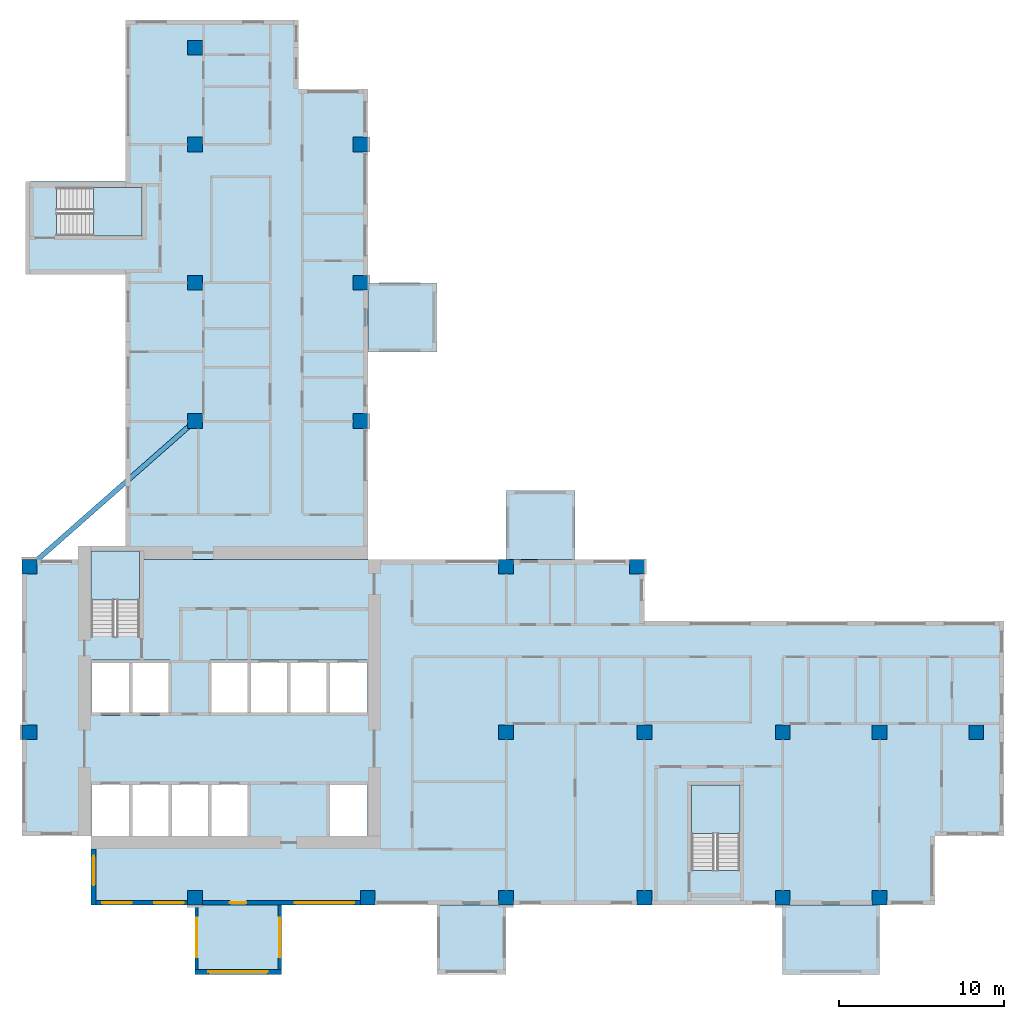
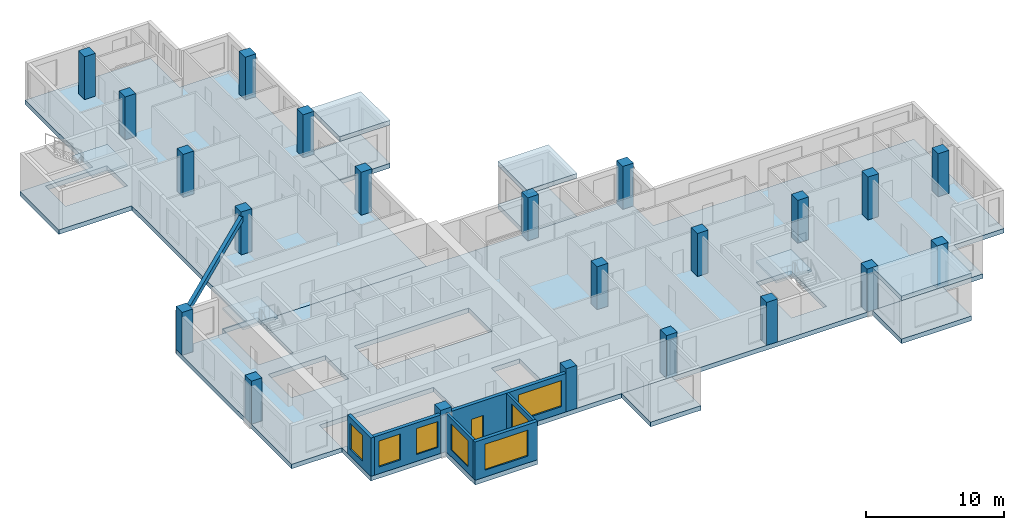
# One storey, part 1 of 12: 22 columns, 13 slabs, 7 windows, 6 walls, 1 door, 1 member, 8 openings, 3 elements without a shape of their own.
"""IFC4 building model written with IfcOpenShell, lengths in metres."""

from ifc_helpers import new_model, si_unit, direction, frame, frame_2d, origin, origin_2d, place, context, subcontext, project, spatial, polyline, rectangle, outline, extrude, source, transform, mapped, material, layer, layer_set, material_profile, profile_set, type_object, element, fill, aggregate, save


model = new_model("IFC4")

# Units and contexts
model_context = context("Model", 3, precision=1e-05, world=origin(), true_north=direction((0.0, 1.0)))
body_context = subcontext(model_context, "Body", "Model", "MODEL_VIEW")
ifc_project = project(units=[si_unit("LENGTHUNIT", "METRE"), si_unit("AREAUNIT", "SQUARE_METRE"), si_unit("VOLUMEUNIT", "CUBIC_METRE"), si_unit("PLANEANGLEUNIT", "RADIAN"), si_unit("MASSUNIT", "GRAM", prefix="KILO")], contexts=[model_context])

# Site, building, storey
site_placement = place(None, origin())
site = spatial("IfcSite", under=ifc_project, at=site_placement, CompositionType="ELEMENT")
building_placement = place(site_placement, origin())
building = spatial("IfcBuilding", under=site, at=building_placement, Name="Aurelian Terraces", CompositionType="ELEMENT")
storey_placement = place(building_placement, frame((0.0, 0.0, 181.6)))
storey = spatial("IfcBuildingStorey", under=building, at=storey_placement, Name="L39", CompositionType="ELEMENT", Elevation=181.6)

# Columns
ifc_material_1 = material(Name="Concrete fc' 70 MPa", Category="concrete")
ifc_material_profile_1 = material_profile(ifc_material_1, rectangle(XDim=0.9, YDim=0.9, at=origin_2d()))
ifc_profile_set_1 = profile_set([ifc_material_profile_1], Name="Concrete fc' 70 MPa")
column_type = type_object("IfcColumnType", Name="RC COLUMN 900X900 FC70", PredefinedType="COLUMN", material=ifc_profile_set_1)
shared_shape_1 = source(origin(), body_context, "Body", "SweptSolid", [
    extrude(rectangle(XDim=0.9, YDim=0.9, at=origin_2d()), origin(), (0.0, 0.0, 1.0), 3.8),
])
for number, where, z_axis, x_axis, name in (
    (1, (10.5, 0.45, 0.0), (0.0, 0.0, 1.0), (1.0, 0.0, 0.0), "Column 2/A L39"),
    (2, (21.0, 0.45, 0.0), (0.0, 0.0, 1.0), (1.0, 0.0, 0.0), "Column 3/A L39"),
    (3, (29.4, 0.45, 0.0), (0.0, 0.0, 1.0), (1.0, 0.0, 0.0), "Column 4/A L39"),
    (4, (37.8, 0.45, 0.0), (0.0, 0.0, 1.0), (1.0, 0.0, 0.0), "Column 5/A L39"),
    (5, (46.2, 0.45, 0.0), (0.0, 0.0, 1.0), (1.0, 0.0, 0.0), "Column 6/A L39"),
    (6, (52.08, 0.45, 0.0), (0.0, 0.0, 1.0), (1.0, 0.0, 0.0), "Column 7/A L39"),
    (7, (0.45, 10.5, 0.0), (0.0, 0.0, 1.0), (1.0, 0.0, 0.0), "Column 1/B L39"),
    (8, (29.4, 10.5, 0.0), (0.0, 0.0, 1.0), (1.0, 0.0, 0.0), "Column 4/B L39"),
    (9, (37.8, 10.5, 0.0), (0.0, 0.0, 1.0), (1.0, 0.0, 0.0), "Column 5/B L39"),
    (10, (46.2, 10.5, 0.0), (0.0, 0.0, 1.0), (1.0, 0.0, 0.0), "Column 6/B L39"),
    (11, (52.08, 10.5, 0.0), (0.0, 0.0, 1.0), (1.0, 0.0, 0.0), "Column 7/B L39"),
    (12, (57.96, 10.5, 0.0), (0.0, 0.0, 1.0), (1.0, 0.0, 0.0), "Column 8/B L39"),
    (13, (0.45, 20.55, 0.0), (0.0, 0.0, 1.0), (1.0, 0.0, 0.0), "Column 1/C L39"),
    (14, (29.4, 20.55, 0.0), (0.0, 0.0, 1.0), (1.0, 0.0, 0.0), "Column 4/C L39"),
    (15, (37.35, 20.55, 0.0), (0.0, 0.0, 1.0), (1.0, 0.0, 0.0), "Column 5/C L39"),
    (16, (10.5, 29.4, 0.0), (0.0, 0.0, 1.0), (1.0, 0.0, 0.0), "Column 2/D L39"),
    (17, (20.55, 29.4, 0.0), (0.0, 0.0, 1.0), (1.0, 0.0, 0.0), "Column 3/D L39"),
    (18, (10.5, 37.8, 0.0), (0.0, 0.0, 1.0), (1.0, 0.0, 0.0), "Column 2/E L39"),
    (19, (20.55, 37.8, 0.0), (0.0, 0.0, 1.0), (1.0, 0.0, 0.0), "Column 3/E L39"),
    (20, (10.5, 46.2, 0.0), (0.0, 0.0, 1.0), (1.0, 0.0, 0.0), "Column 2/F L39"),
    (21, (20.55, 46.2, 0.0), (0.0, 0.0, 1.0), (1.0, 0.0, 0.0), "Column 3/F L39"),
    (22, (10.5, 52.08, 0.0), (0.0, 0.0, 1.0), (1.0, 0.0, 0.0), "Column 2/G L39"),
):
    element("IfcColumn", number, at=place(storey_placement, frame(where, z_axis=z_axis, x_axis=x_axis)), inside=storey, type_object=column_type, Name=name, PredefinedType="COLUMN", context=body_context, shape_type="MappedRepresentation", body=[
        mapped(shared_shape_1, transform((0.0, 0.0, 0.0), scale=1.0)),
    ])

# Member
ifc_material_2 = material(Name="Concrete fc' 40 MPa", Category="concrete")
ifc_material_profile_2 = material_profile(ifc_material_2, rectangle(XDim=0.3, YDim=0.5, at=origin_2d()))
ifc_profile_set_2 = profile_set([ifc_material_profile_2], Name="Concrete fc' 40 MPa")
member_type = type_object("IfcMemberType", Name="CONCRETE EDGE BEAM 300X500", PredefinedType="MEMBER", material=ifc_profile_set_2)
member_placement = place(storey_placement, frame((10.1623, 29.1026, 3.15), z_axis=(-0.750493043191, -0.660878348959, 0.0), x_axis=(0.660878348959, -0.750493043191, 0.0)))
element("IfcMember", 23, at=member_placement, inside=storey, type_object=member_type, Name="Terrace edge member SKY-06-T1", PredefinedType="MEMBER", context=body_context, shape_type="SweptSolid", body=[
    extrude(rectangle(XDim=0.3, YDim=0.5, at=origin_2d()), origin(), (0.0, 0.0, 1.0), 12.4913),
])

# Slabs
ifc_layer_1 = layer(ifc_material_2, 0.41)
ifc_layer_set_1 = layer_set([ifc_layer_1], Name="Box floor 410")
slab_type_1 = type_object("IfcSlabType", Name="Box floor 410", PredefinedType="NOTDEFINED", material=ifc_layer_set_1)
slab_1_placement = place(storey_placement, frame((0.0, 0.0, -0.41)))
element("IfcSlab", 24, at=slab_1_placement, inside=storey, type_object=slab_type_1, Name="Box floor L39 J54", PredefinedType="NOTDEFINED", context=body_context, shape_type="SweptSolid", body=[
    extrude(outline(polyline([(10.5, -4.2), (15.75, -4.2), (15.75, 0.0), (10.5, 0.0), (10.5, -4.2)])), origin(), (0.0, 0.0, 1.0), 0.41),
])
ifc_layer_2 = layer(ifc_material_2, 0.4)
ifc_layer_set_2 = layer_set([ifc_layer_2], Name="Box roof 400")
slab_type_2 = type_object("IfcSlabType", Name="Box roof 400", PredefinedType="ROOF", material=ifc_layer_set_2)
slab_2_placement = place(storey_placement, frame((0.0, 0.0, 3.4)))
element("IfcSlab", 25, at=slab_2_placement, inside=storey, type_object=slab_type_2, Name="Box roof J52", PredefinedType="ROOF", context=body_context, shape_type="SweptSolid", body=[
    extrude(outline(polyline([(33.6, 25.2), (29.4, 25.2), (29.4, 21.0), (33.6, 21.0), (33.6, 25.2)])), origin(), (0.0, 0.0, 1.0), 0.4),
])
ifc_layer_3 = layer(ifc_material_2, 0.4)
ifc_layer_set_3 = layer_set([ifc_layer_3], Name="PT FLAT PLATE 400")
slab_type_3 = type_object("IfcSlabType", Name="PT FLAT PLATE 400", PredefinedType="FLOOR", material=ifc_layer_set_3)
slab_3_placement = place(storey_placement, frame((0.0, 0.0, -0.4)))
element("IfcSlab", 26, at=slab_3_placement, inside=storey, type_object=slab_type_3, Name="Floor slab S L39", PredefinedType="FLOOR", context=body_context, shape_type="SweptSolid", body=[
    extrude(outline(polyline([(59.64, 4.2), (55.44, 4.2), (55.44, 0.0), (21.0, 0.0), (4.2, 0.0), (4.2, 4.2), (0.0, 4.2), (0.0, 21.0), (4.21, 21.0), (4.21, 16.31), (7.14, 16.31), (7.14, 21.0), (21.0, 21.0), (37.8, 21.0), (37.8, 17.25), (55.44, 17.25), (59.64, 17.25), (59.64, 16.8), (59.64, 16.65), (59.64, 4.2)]), holes=[polyline([(40.66, 2.11), (43.59, 2.11), (43.59, 7.29), (40.66, 7.29), (40.66, 2.11)]), polyline([(18.61, 7.49), (18.61, 4.21), (20.99, 4.21), (20.99, 7.49), (18.61, 7.49)]), polyline([(20.99, 14.89), (11.41, 14.89), (11.41, 11.51), (20.99, 11.51), (20.99, 14.89)]), polyline([(4.21, 7.49), (4.21, 4.21), (13.79, 4.21), (13.79, 7.49), (4.21, 7.49)]), polyline([(4.21, 14.89), (4.21, 11.51), (8.99, 11.51), (8.99, 14.89), (4.21, 14.89)])]), origin(), (0.0, 0.0, 1.0), 0.4),
])
shared_shape_2 = source(origin(), body_context, "Body", "SweptSolid", [
    extrude(outline(polyline([(0.2, 43.95), (6.3, 43.95), (6.3, 49.56), (6.3, 53.76), (10.5, 53.76), (16.8, 53.76), (16.8, 49.56), (21.0, 49.56), (21.0, 21.0), (7.14, 21.0), (7.14, 21.49), (4.21, 21.49), (4.21, 21.0), (4.2, 21.0), (4.2, 21.6), (6.3, 21.6), (6.3, 38.3), (0.2, 38.3), (0.2, 43.95)]), holes=[polyline([(7.29, 43.59), (2.11, 43.59), (2.11, 40.66), (7.29, 40.66), (7.29, 43.59)])]), origin(), (0.0, 0.0, 1.0), 0.4),
])
slab_4_placement = place(storey_placement, frame((0.0, 0.0, -0.4)))
element("IfcSlab", 27, at=slab_4_placement, inside=storey, type_object=slab_type_3, Name="Floor slab W L39", PredefinedType="FLOOR", context=body_context, shape_type="MappedRepresentation", body=[
    mapped(shared_shape_2, transform((0.0, 0.0, 0.0), scale=1.0)),
])
shared_shape_3 = source(origin(), body_context, "Body", "SweptSolid", [
    extrude(outline(polyline([(46.2, -4.2), (52.08, -4.2), (52.08, 0.0), (46.2, 0.0), (46.2, -4.2)])), origin(), (0.0, 0.0, 1.0), 0.41),
])
slab_5_placement = place(storey_placement, frame((0.0, 0.0, -0.41)))
element("IfcSlab", 28, at=slab_5_placement, inside=storey, type_object=slab_type_1, Name="Box floor L39 J51", PredefinedType="NOTDEFINED", context=body_context, shape_type="MappedRepresentation", body=[
    mapped(shared_shape_3, transform((0.0, 0.0, 0.0), scale=1.0)),
])
shared_shape_4 = source(origin(), body_context, "Body", "SweptSolid", [
    extrude(outline(polyline([(46.2, -4.2), (52.08, -4.2), (52.08, 0.0), (46.2, 0.0), (46.2, -4.2)])), origin(), (0.0, 0.0, 1.0), 0.4),
])
slab_6_placement = place(storey_placement, frame((0.0, 0.0, 3.4)))
element("IfcSlab", 29, at=slab_6_placement, inside=storey, type_object=slab_type_2, Name="Box roof J51", PredefinedType="ROOF", context=body_context, shape_type="MappedRepresentation", body=[
    mapped(shared_shape_4, transform((0.0, 0.0, 0.0), scale=1.0)),
])
shared_shape_5 = source(origin(), body_context, "Body", "SweptSolid", [
    extrude(outline(polyline([(25.2, -4.2), (29.4, -4.2), (29.4, 0.0), (25.2, 0.0), (25.2, -4.2)])), origin(), (0.0, 0.0, 1.0), 0.41),
])
slab_7_placement = place(storey_placement, frame((0.0, 0.0, -0.41)))
element("IfcSlab", 30, at=slab_7_placement, inside=storey, type_object=slab_type_1, Name="Box floor L39 J55", PredefinedType="NOTDEFINED", context=body_context, shape_type="MappedRepresentation", body=[
    mapped(shared_shape_5, transform((0.0, 0.0, 0.0), scale=1.0)),
])
shared_shape_6 = source(origin(), body_context, "Body", "SweptSolid", [
    extrude(outline(polyline([(25.2, 33.6), (25.2, 37.8), (21.0, 37.8), (21.0, 33.6), (25.2, 33.6)])), origin(), (0.0, 0.0, 1.0), 0.41),
])
slab_8_placement = place(storey_placement, frame((0.0, 0.0, -0.41)))
element("IfcSlab", 31, at=slab_8_placement, inside=storey, type_object=slab_type_1, Name="Box floor L39 J53", PredefinedType="NOTDEFINED", context=body_context, shape_type="MappedRepresentation", body=[
    mapped(shared_shape_6, transform((0.0, 0.0, 0.0), scale=1.0)),
])
shared_shape_7 = source(origin(), body_context, "Body", "SweptSolid", [
    extrude(outline(polyline([(25.2, 33.6), (25.2, 37.8), (21.0, 37.8), (21.0, 33.6), (25.2, 33.6)])), origin(), (0.0, 0.0, 1.0), 0.4),
])
slab_9_placement = place(storey_placement, frame((0.0, 0.0, 3.4)))
element("IfcSlab", 32, at=slab_9_placement, inside=storey, type_object=slab_type_2, Name="Box roof J53", PredefinedType="ROOF", context=body_context, shape_type="MappedRepresentation", body=[
    mapped(shared_shape_7, transform((0.0, 0.0, 0.0), scale=1.0)),
])
shared_shape_8 = source(origin(), body_context, "Body", "SweptSolid", [
    extrude(outline(polyline([(33.6, 25.2), (29.4, 25.2), (29.4, 21.0), (33.6, 21.0), (33.6, 25.2)])), origin(), (0.0, 0.0, 1.0), 0.41),
])
slab_10_placement = place(storey_placement, frame((0.0, 0.0, -0.41)))
element("IfcSlab", 33, at=slab_10_placement, inside=storey, type_object=slab_type_1, Name="Box floor L39 J52", PredefinedType="NOTDEFINED", context=body_context, shape_type="MappedRepresentation", body=[
    mapped(shared_shape_8, transform((0.0, 0.0, 0.0), scale=1.0)),
])

# Stair, slab
stair_type = type_object("IfcStairType", Name="Stair 1400", PredefinedType="HALF_TURN_STAIR", material=ifc_material_2)
stair_1_placement = place(storey_placement, origin())
stair_1 = element("IfcStair", 34, at=stair_1_placement, inside=storey, type_object=stair_type, Name="L39 S1", PredefinedType="HALF_TURN_STAIR")
ifc_layer_4 = layer(ifc_material_2, 0.2)
ifc_layer_set_4 = layer_set([ifc_layer_4], Name="Stair landing 200")
slab_type_4 = type_object("IfcSlabType", Name="Stair landing 200", PredefinedType="LANDING", material=ifc_layer_set_4)
shared_shape_9 = source(origin(), body_context, "Body", "SweptSolid", [
    extrude(outline(polyline([(7.15, 18.55), (7.15, 21.5), (4.2, 21.5), (4.2, 18.55), (7.15, 18.55)])), origin(), (0.0, 0.0, 1.0), 0.2),
])
slab_11_placement = place(storey_placement, frame((0.0, 0.0, 1.7)))
slab_11 = element("IfcSlab", 35, at=slab_11_placement, type_object=slab_type_4, Name="S1 landing 1", PredefinedType="LANDING", context=body_context, shape_type="MappedRepresentation", body=[
    mapped(shared_shape_9, transform((0.0, 0.0, 0.0), scale=1.0)),
])
aggregate(stair_1, [slab_11])

stair_2_placement = place(storey_placement, origin())
stair_2 = element("IfcStair", 36, at=stair_2_placement, inside=storey, type_object=stair_type, Name="L39 S2", PredefinedType="HALF_TURN_STAIR")
shared_shape_10 = source(origin(), body_context, "Body", "SweptSolid", [
    extrude(outline(polyline([(43.6, 4.35), (43.6, 7.3), (40.65, 7.3), (40.65, 4.35), (43.6, 4.35)])), origin(), (0.0, 0.0, 1.0), 0.2),
])
slab_12_placement = place(storey_placement, frame((0.0, 0.0, 1.7)))
slab_12 = element("IfcSlab", 37, at=slab_12_placement, type_object=slab_type_4, Name="S2 landing 1", PredefinedType="LANDING", context=body_context, shape_type="MappedRepresentation", body=[
    mapped(shared_shape_10, transform((0.0, 0.0, 0.0), scale=1.0)),
])
aggregate(stair_2, [slab_12])

stair_3_placement = place(storey_placement, origin())
stair_3 = element("IfcStair", 38, at=stair_3_placement, inside=storey, type_object=stair_type, Name="L39 S3", PredefinedType="HALF_TURN_STAIR")
shared_shape_11 = source(origin(), body_context, "Body", "SweptSolid", [
    extrude(outline(polyline([(4.35, 40.65), (7.3, 40.65), (7.3, 43.6), (4.35, 43.6), (4.35, 40.65)])), origin(), (0.0, 0.0, 1.0), 0.2),
])
slab_13_placement = place(storey_placement, frame((0.0, 0.0, 1.7)))
slab_13 = element("IfcSlab", 39, at=slab_13_placement, type_object=slab_type_4, Name="S3 landing 1", PredefinedType="LANDING", context=body_context, shape_type="MappedRepresentation", body=[
    mapped(shared_shape_11, transform((0.0, 0.0, 0.0), scale=1.0)),
])
aggregate(stair_3, [slab_13])

# Wall, opening, window
ifc_layer_5 = layer(ifc_material_2, 0.3)
ifc_layer_set_5 = layer_set([ifc_layer_5], Name="BOX BEARING WALL 300")
wall_type_1 = type_object("IfcWallType", Name="BOX BEARING WALL 300", PredefinedType="SOLIDWALL", material=ifc_layer_set_5)
wall_1_placement = place(storey_placement, frame((10.5, -4.05, 0.0), z_axis=(0.0, 0.0, 1.0), x_axis=(1.0, 0.0, 0.0)))
wall_1 = element("IfcWall", 40, at=wall_1_placement, inside=storey, type_object=wall_type_1, Name="Box wall L39 J54", PredefinedType="SOLIDWALL", context=body_context, shape_type="SweptSolid", body=[
    extrude(rectangle(XDim=5.25, YDim=0.3, at=frame_2d((2.625, 0.0))), origin(), (0.0, 0.0, 1.0), 3.39),
])
shared_shape_12 = source(origin(), body_context, "Body", "SweptSolid", [
    extrude(rectangle(XDim=3.6, YDim=2.3, at=frame_2d((1.8, 1.15))), frame((0.0, 0.16, 0.0), z_axis=(0.0, -1.0, 0.0), x_axis=(1.0, 0.0, 0.0)), (0.0, 0.0, 1.0), 0.32),
])
opening_1_placement = place(wall_1_placement, frame((0.825, 0.0, 0.6)))
opening_1 = element("IfcOpeningElement", 41, at=opening_1_placement, cuts=wall_1, Name="Opening W3623", PredefinedType="OPENING", context=body_context, shape_type="MappedRepresentation", body=[
    mapped(shared_shape_12, transform((0.0, 0.0, 0.0), scale=1.0)),
])
ifc_material_3 = material(Name="Clear glazing", Category="glass")
window_type_1 = type_object("IfcWindowType", Name="W-3600x2300", PartitioningType="SINGLE_PANEL", PredefinedType="WINDOW", material=ifc_material_3)
shared_shape_13 = source(origin(), body_context, "Body", "SweptSolid", [
    extrude(rectangle(XDim=3.6, YDim=2.3, at=frame_2d((1.8, 1.15))), frame((0.0, 0.03, 0.0), z_axis=(0.0, -1.0, 0.0), x_axis=(1.0, 0.0, 0.0)), (0.0, 0.0, 1.0), 0.06),
])
window_1_placement = place(opening_1_placement, origin())
window_1 = element("IfcWindow", 42, at=window_1_placement, inside=storey, type_object=window_type_1, Name="Window L39 J54-F1", OverallHeight=2.3, OverallWidth=3.6, PartitioningType="SINGLE_PANEL", PredefinedType="WINDOW", context=body_context, shape_type="MappedRepresentation", body=[
    mapped(shared_shape_13, transform((0.0, 0.0, 0.0), scale=1.0)),
])
fill(opening_1, window_1)

# Wall, openings, windows
ifc_material_4 = material(Name="Terracotta rainscreen cladding", Category="masonry")
ifc_layer_6 = layer(ifc_material_4, 0.3)
ifc_layer_set_6 = layer_set([ifc_layer_6], Name="EW-300")
wall_type_2 = type_object("IfcWallType", Name="EW-300", PredefinedType="STANDARD", material=ifc_layer_set_6)
wall_2_placement = place(storey_placement, frame((4.2, 0.15, 0.0), z_axis=(0.0, 0.0, 1.0), x_axis=(1.0, 0.0, 0.0)))
wall_2 = element("IfcWall", 43, at=wall_2_placement, inside=storey, type_object=wall_type_2, Name="External wall L39 F01.1", PredefinedType="STANDARD", context=body_context, shape_type="SweptSolid", body=[
    extrude(rectangle(XDim=5.85, YDim=0.3, at=frame_2d((2.925, 0.0))), origin(), (0.0, 0.0, 1.0), 3.4),
])
shared_shape_14 = source(origin(), body_context, "Body", "SweptSolid", [
    extrude(rectangle(XDim=1.8, YDim=2.3, at=frame_2d((0.9, 1.15))), frame((0.0, 0.16, 0.0), z_axis=(0.0, -1.0, 0.0), x_axis=(1.0, 0.0, 0.0)), (0.0, 0.0, 1.0), 0.32),
])
opening_2_placement = place(wall_2_placement, frame((0.675, 0.0, 0.6)))
opening_2 = element("IfcOpeningElement", 44, at=opening_2_placement, cuts=wall_2, Name="Opening W1823", PredefinedType="OPENING", context=body_context, shape_type="MappedRepresentation", body=[
    mapped(shared_shape_14, transform((0.0, 0.0, 0.0), scale=1.0)),
])
opening_3_placement = place(wall_2_placement, frame((3.825, 0.0, 0.6)))
opening_3 = element("IfcOpeningElement", 45, at=opening_3_placement, cuts=wall_2, Name="Opening W1823", PredefinedType="OPENING", context=body_context, shape_type="MappedRepresentation", body=[
    mapped(shared_shape_14, transform((0.0, 0.0, 0.0), scale=1.0)),
])
window_type_2 = type_object("IfcWindowType", Name="W-1800x2300", PartitioningType="SINGLE_PANEL", PredefinedType="WINDOW", material=ifc_material_3)
shared_shape_15 = source(origin(), body_context, "Body", "SweptSolid", [
    extrude(rectangle(XDim=1.8, YDim=2.3, at=frame_2d((0.9, 1.15))), frame((0.0, 0.03, 0.0), z_axis=(0.0, -1.0, 0.0), x_axis=(1.0, 0.0, 0.0)), (0.0, 0.0, 1.0), 0.06),
])
window_2_placement = place(opening_2_placement, origin())
window_2 = element("IfcWindow", 46, at=window_2_placement, inside=storey, type_object=window_type_2, Name="Window L39 L39-F01-01-0", OverallHeight=2.3, OverallWidth=1.8, PartitioningType="SINGLE_PANEL", PredefinedType="WINDOW", context=body_context, shape_type="MappedRepresentation", body=[
    mapped(shared_shape_15, transform((0.0, 0.0, 0.0), scale=1.0)),
])
fill(opening_2, window_2)
window_3_placement = place(opening_3_placement, origin())
window_3 = element("IfcWindow", 47, at=window_3_placement, inside=storey, type_object=window_type_2, Name="Window L39 L39-F01-01-1", OverallHeight=2.3, OverallWidth=1.8, PartitioningType="SINGLE_PANEL", PredefinedType="WINDOW", context=body_context, shape_type="MappedRepresentation", body=[
    mapped(shared_shape_15, transform((0.0, 0.0, 0.0), scale=1.0)),
])
fill(opening_3, window_3)

# Wall, openings, window, door
wall_3_placement = place(storey_placement, frame((10.95, 0.15, 0.0), z_axis=(0.0, 0.0, 1.0), x_axis=(1.0, 0.0, 0.0)))
wall_3 = element("IfcWall", 48, at=wall_3_placement, inside=storey, type_object=wall_type_2, Name="External wall L39 F01.2", PredefinedType="STANDARD", context=body_context, shape_type="SweptSolid", body=[
    extrude(rectangle(XDim=9.6, YDim=0.3, at=frame_2d((4.8, 0.0))), origin(), (0.0, 0.0, 1.0), 3.4),
])
opening_4_placement = place(wall_3_placement, frame((5.625, 0.0, 0.6)))
opening_4 = element("IfcOpeningElement", 49, at=opening_4_placement, cuts=wall_3, Name="Opening W3623", PredefinedType="OPENING", context=body_context, shape_type="MappedRepresentation", body=[
    mapped(shared_shape_12, transform((0.0, 0.0, 0.0), scale=1.0)),
])
shared_shape_16 = source(origin(), body_context, "Body", "SweptSolid", [
    extrude(rectangle(XDim=1.0, YDim=2.1, at=frame_2d((0.5, 1.05))), frame((0.0, 0.16, 0.0), z_axis=(0.0, -1.0, 0.0), x_axis=(1.0, 0.0, 0.0)), (0.0, 0.0, 1.0), 0.32),
])
opening_5_placement = place(wall_3_placement, frame((1.675, 0.0, 0.0)))
opening_5 = element("IfcOpeningElement", 50, at=opening_5_placement, cuts=wall_3, Name="Opening 839004", PredefinedType="OPENING", context=body_context, shape_type="MappedRepresentation", body=[
    mapped(shared_shape_16, transform((0.0, 0.0, 0.0), scale=1.0)),
])
window_4_placement = place(opening_4_placement, origin())
window_4 = element("IfcWindow", 51, at=window_4_placement, inside=storey, type_object=window_type_1, Name="Window L39 L39-F01-02-1", OverallHeight=2.3, OverallWidth=3.6, PartitioningType="SINGLE_PANEL", PredefinedType="WINDOW", context=body_context, shape_type="MappedRepresentation", body=[
    mapped(shared_shape_13, transform((0.0, 0.0, 0.0), scale=1.0)),
])
fill(opening_4, window_4)
ifc_material_5 = material(Name="Timber door leaf", Category="wood")
door_type = type_object("IfcDoorType", Name="Room door 1000x2100 left", OperationType="SINGLE_SWING_LEFT", PredefinedType="DOOR", material=ifc_material_5)
shared_shape_17 = source(origin(), body_context, "Body", "SweptSolid", [
    extrude(rectangle(XDim=1.0, YDim=2.1, at=frame_2d((0.5, 1.05))), frame((0.0, 0.025, 0.0), z_axis=(0.0, -1.0, 0.0), x_axis=(1.0, 0.0, 0.0)), (0.0, 0.0, 1.0), 0.05),
])
door_placement = place(opening_5_placement, origin())
door = element("IfcDoor", 52, at=door_placement, inside=storey, type_object=door_type, Name="Door 839004", OperationType="SINGLE_SWING_LEFT", OverallHeight=2.1, OverallWidth=1.0, PredefinedType="DOOR", context=body_context, shape_type="MappedRepresentation", body=[
    mapped(shared_shape_17, transform((0.0, 0.0, 0.0), scale=1.0)),
])
fill(opening_5, door)

# Wall, opening, window
shared_shape_18 = source(origin(), body_context, "Body", "SweptSolid", [
    extrude(rectangle(XDim=3.4, YDim=0.3, at=frame_2d((1.7, 0.0))), origin(), (0.0, 0.0, 1.0), 3.4),
])
wall_4_placement = place(storey_placement, frame((4.35, 3.4, 0.0), z_axis=(0.0, 0.0, 1.0), x_axis=(0.0, -1.0, 0.0)))
wall_4 = element("IfcWall", 53, at=wall_4_placement, inside=storey, type_object=wall_type_2, Name="External wall L39 F22.36", PredefinedType="STANDARD", context=body_context, shape_type="MappedRepresentation", body=[
    mapped(shared_shape_18, transform((0.0, 0.0, 0.0), scale=1.0)),
])
opening_6_placement = place(wall_4_placement, frame((0.4, 0.0, 0.6)))
opening_6 = element("IfcOpeningElement", 54, at=opening_6_placement, cuts=wall_4, Name="Opening W1823", PredefinedType="OPENING", context=body_context, shape_type="MappedRepresentation", body=[
    mapped(shared_shape_14, transform((0.0, 0.0, 0.0), scale=1.0)),
])
window_5_placement = place(opening_6_placement, origin())
window_5 = element("IfcWindow", 55, at=window_5_placement, inside=storey, type_object=window_type_2, Name="Window L39 L39-F22-36-0", OverallHeight=2.3, OverallWidth=1.8, PartitioningType="SINGLE_PANEL", PredefinedType="WINDOW", context=body_context, shape_type="MappedRepresentation", body=[
    mapped(shared_shape_15, transform((0.0, 0.0, 0.0), scale=1.0)),
])
fill(opening_6, window_5)

ifc_layer_7 = layer(ifc_material_2, 0.2)
ifc_layer_set_7 = layer_set([ifc_layer_7], Name="BOX BEARING WALL 200")
wall_type_3 = type_object("IfcWallType", Name="BOX BEARING WALL 200", PredefinedType="SOLIDWALL", material=ifc_layer_set_7)
shared_shape_19 = source(origin(), body_context, "Body", "SweptSolid", [
    extrude(rectangle(XDim=3.9, YDim=0.2, at=frame_2d((1.95, 0.0))), origin(), (0.0, 0.0, 1.0), 3.39),
])
wall_5_placement = place(storey_placement, frame((10.6, 0.0, 0.0), z_axis=(0.0, 0.0, 1.0), x_axis=(0.0, -1.0, 0.0)))
wall_5 = element("IfcWall", 56, at=wall_5_placement, inside=storey, type_object=wall_type_3, Name="Box return L39 J54.1", PredefinedType="SOLIDWALL", context=body_context, shape_type="MappedRepresentation", body=[
    mapped(shared_shape_19, transform((0.0, 0.0, 0.0), scale=1.0)),
])
shared_shape_20 = source(origin(), body_context, "Body", "SweptSolid", [
    extrude(rectangle(XDim=2.4, YDim=2.3, at=frame_2d((1.2, 1.15))), frame((0.0, 0.11, 0.0), z_axis=(0.0, -1.0, 0.0), x_axis=(1.0, 0.0, 0.0)), (0.0, 0.0, 1.0), 0.22),
])
opening_7_placement = place(wall_5_placement, frame((0.75, 0.0, 0.6)))
opening_7 = element("IfcOpeningElement", 57, at=opening_7_placement, cuts=wall_5, Name="Opening W2423", PredefinedType="OPENING", context=body_context, shape_type="MappedRepresentation", body=[
    mapped(shared_shape_20, transform((0.0, 0.0, 0.0), scale=1.0)),
])
window_type_3 = type_object("IfcWindowType", Name="W-2400x2300", PartitioningType="SINGLE_PANEL", PredefinedType="WINDOW", material=ifc_material_3)
shared_shape_21 = source(origin(), body_context, "Body", "SweptSolid", [
    extrude(rectangle(XDim=2.4, YDim=2.3, at=frame_2d((1.2, 1.15))), frame((0.0, 0.03, 0.0), z_axis=(0.0, -1.0, 0.0), x_axis=(1.0, 0.0, 0.0)), (0.0, 0.0, 1.0), 0.06),
])
window_6_placement = place(opening_7_placement, origin())
window_6 = element("IfcWindow", 58, at=window_6_placement, inside=storey, type_object=window_type_3, Name="Window L39 J54-S1", OverallHeight=2.3, OverallWidth=2.4, PartitioningType="SINGLE_PANEL", PredefinedType="WINDOW", context=body_context, shape_type="MappedRepresentation", body=[
    mapped(shared_shape_21, transform((0.0, 0.0, 0.0), scale=1.0)),
])
fill(opening_7, window_6)

wall_6_placement = place(storey_placement, frame((15.65, 0.0, 0.0), z_axis=(0.0, 0.0, 1.0), x_axis=(0.0, -1.0, 0.0)))
wall_6 = element("IfcWall", 59, at=wall_6_placement, inside=storey, type_object=wall_type_3, Name="Box return L39 J54.2", PredefinedType="SOLIDWALL", context=body_context, shape_type="MappedRepresentation", body=[
    mapped(shared_shape_19, transform((0.0, 0.0, 0.0), scale=1.0)),
])
opening_8_placement = place(wall_6_placement, frame((0.75, 0.0, 0.6)))
opening_8 = element("IfcOpeningElement", 60, at=opening_8_placement, cuts=wall_6, Name="Opening W2423", PredefinedType="OPENING", context=body_context, shape_type="MappedRepresentation", body=[
    mapped(shared_shape_20, transform((0.0, 0.0, 0.0), scale=1.0)),
])
window_7_placement = place(opening_8_placement, origin())
window_7 = element("IfcWindow", 61, at=window_7_placement, inside=storey, type_object=window_type_3, Name="Window L39 J54-S2", OverallHeight=2.3, OverallWidth=2.4, PartitioningType="SINGLE_PANEL", PredefinedType="WINDOW", context=body_context, shape_type="MappedRepresentation", body=[
    mapped(shared_shape_21, transform((0.0, 0.0, 0.0), scale=1.0)),
])
fill(opening_8, window_7)

save(model, "model.ifc")
